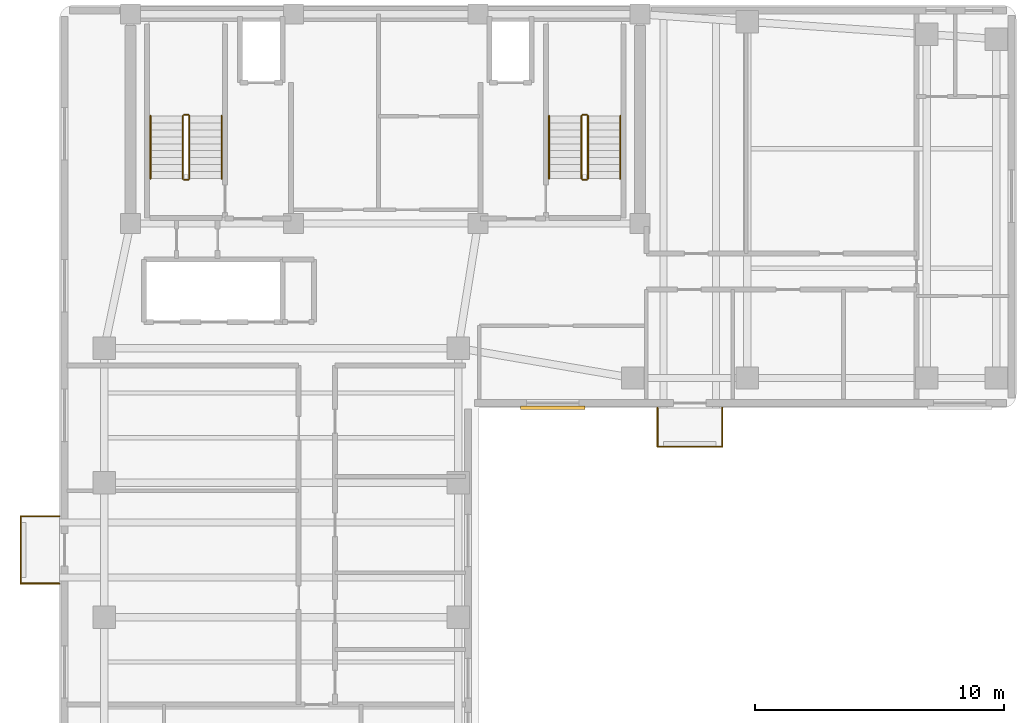
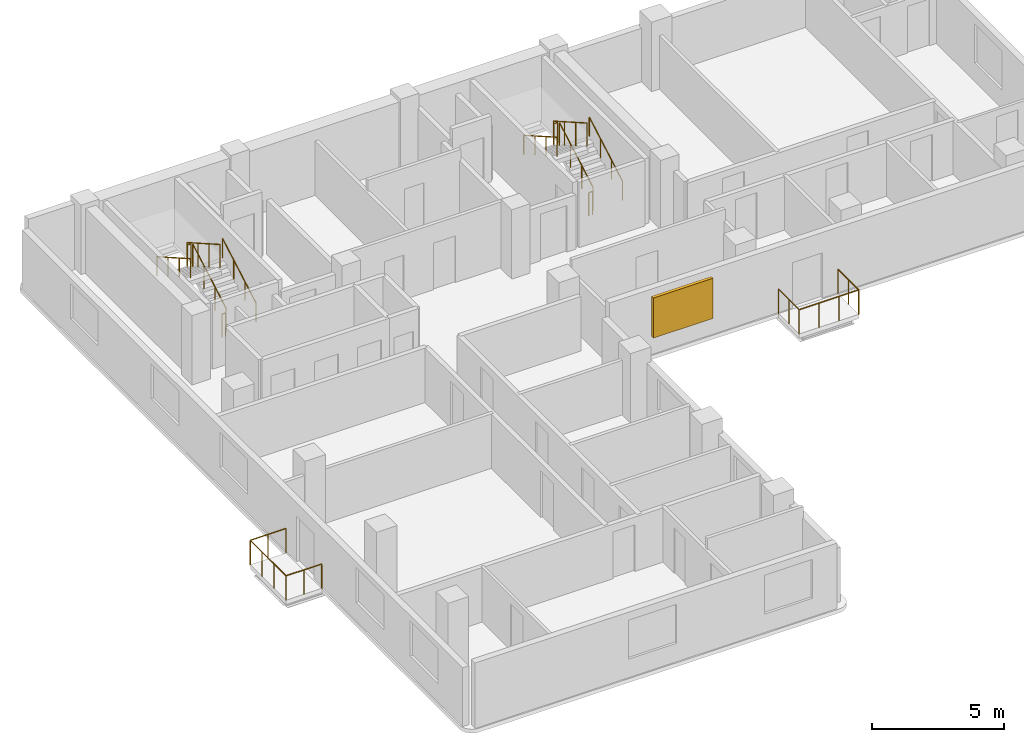
# One storey, part 6 of 7: 18 railings, 1 shading device.
"""IFC4 building model written with IfcOpenShell, lengths in metres."""

from ifc_helpers import new_model, si_unit, direction, frame, origin, origin_2d, place, context, subcontext, project, spatial, rectangle, circle, extrude, material, layer, layer_set, type_object, element, save


model = new_model("IFC4")

# Units and contexts
model_context = context("Model", 3, precision=1e-05, world=origin(), true_north=direction((0.0, 1.0)))
body_context = subcontext(model_context, "Body", "Model", "MODEL_VIEW")
ifc_project = project(units=[si_unit("LENGTHUNIT", "METRE"), si_unit("AREAUNIT", "SQUARE_METRE"), si_unit("VOLUMEUNIT", "CUBIC_METRE"), si_unit("PLANEANGLEUNIT", "RADIAN"), si_unit("MASSUNIT", "GRAM", prefix="KILO")], contexts=[model_context])

# Site, building, storey
site_placement = place(None, origin())
site = spatial("IfcSite", under=ifc_project, at=site_placement, CompositionType="ELEMENT")
building_placement = place(site_placement, origin())
building = spatial("IfcBuilding", under=site, at=building_placement, Name="Kuzgunbayir Cultural Tower", CompositionType="ELEMENT")
storey_placement = place(building_placement, frame((0.0, 0.0, 201.60009765625)))
storey = spatial("IfcBuildingStorey", under=building, at=storey_placement, Name="L59", CompositionType="ELEMENT", Elevation=201.60009765625)

# Railings
ifc_material_1 = material(Name="Laminated Glass and Stainless Steel", Category="steel")
ifc_layer_1 = layer(ifc_material_1, 0.080078125)
ifc_layer_set_1 = layer_set([ifc_layer_1], Name="Laminated Glass and Stainless Steel")
railing_type_1 = type_object("IfcRailingType", Name="RLG-BAL-115", PredefinedType="BALUSTRADE", material=ifc_layer_set_1)
railing_1_placement = place(storey_placement, frame((3.60009765625, 19.35009765625, 0.0)))
element("IfcRailing", 1, at=railing_1_placement, inside=storey, type_object=railing_type_1, Name="L59 Balcony Guard BAL-L59-WA2 Segment 1", PredefinedType="BALUSTRADE", context=body_context, shape_type="SweptSolid", body=[
    extrude(circle(Radius=0.02392578125, at=origin_2d()), frame((0.0, 0.0, 1.1259765625), z_axis=(-1.0, 0.0, 0.0), x_axis=(0.0, -1.0, 0.0)), (0.0, 0.0, 1.0), 1.56005859375),
    extrude(circle(Radius=0.02099609375, at=origin_2d()), origin(), (0.0, 0.0, 1.0), 1.101806640625),
    extrude(circle(Radius=0.02099609375, at=origin_2d()), frame((-0.780029296875, 0.0, 0.0)), (0.0, 0.0, 1.0), 1.101806640625),
    extrude(circle(Radius=0.02099609375, at=origin_2d()), frame((-1.56005859375, 0.0, 0.0)), (0.0, 0.0, 1.0), 1.101806640625),
])
railing_2_placement = place(storey_placement, frame((2.0400390625, 19.35009765625, 0.0)))
element("IfcRailing", 2, at=railing_2_placement, inside=storey, type_object=railing_type_1, Name="L59 Balcony Guard BAL-L59-WA2 Segment 2", PredefinedType="BALUSTRADE", context=body_context, shape_type="SweptSolid", body=[
    extrude(circle(Radius=0.02392578125, at=origin_2d()), frame((0.0, 0.0, 1.1259765625), z_axis=(0.0, 1.0, 0.0), x_axis=(-1.0, 0.0, 0.0)), (0.0, 0.0, 1.0), 2.699951171875),
    extrude(circle(Radius=0.02099609375, at=origin_2d()), origin(), (0.0, 0.0, 1.0), 1.101806640625),
    extrude(circle(Radius=0.02099609375, at=origin_2d()), frame((0.0, 0.89990234375, 0.0)), (0.0, 0.0, 1.0), 1.101806640625),
    extrude(circle(Radius=0.02099609375, at=origin_2d()), frame((0.0, 1.800048828125, 0.0)), (0.0, 0.0, 1.0), 1.101806640625),
    extrude(circle(Radius=0.02099609375, at=origin_2d()), frame((0.0, 2.699951171875, 0.0)), (0.0, 0.0, 1.0), 1.101806640625),
])
railing_3_placement = place(storey_placement, frame((2.0400390625, 22.050048828125, 0.0)))
element("IfcRailing", 3, at=railing_3_placement, inside=storey, type_object=railing_type_1, Name="L59 Balcony Guard BAL-L59-WA2 Segment 3", PredefinedType="BALUSTRADE", context=body_context, shape_type="SweptSolid", body=[
    extrude(circle(Radius=0.02392578125, at=origin_2d()), frame((0.0, 0.0, 1.1259765625), z_axis=(1.0, 0.0, 0.0), x_axis=(0.0, 1.0, 0.0)), (0.0, 0.0, 1.0), 1.56005859375),
    extrude(circle(Radius=0.02099609375, at=origin_2d()), origin(), (0.0, 0.0, 1.0), 1.101806640625),
    extrude(circle(Radius=0.02099609375, at=origin_2d()), frame((0.780029296875, 0.0, 0.0)), (0.0, 0.0, 1.0), 1.101806640625),
    extrude(circle(Radius=0.02099609375, at=origin_2d()), frame((1.56005859375, 0.0, 0.0)), (0.0, 0.0, 1.0), 1.101806640625),
])
railing_4_placement = place(storey_placement, frame((27.60009765625, 26.39990234375, 0.0)))
element("IfcRailing", 4, at=railing_4_placement, inside=storey, type_object=railing_type_1, Name="L59 Balcony Guard BAL-L59-WB1 Segment 1", PredefinedType="BALUSTRADE", context=body_context, shape_type="SweptSolid", body=[
    extrude(circle(Radius=0.02392578125, at=origin_2d()), frame((0.0, 0.0, 1.1259765625), z_axis=(0.0, -1.0, 0.0), x_axis=(1.0, 0.0, 0.0)), (0.0, 0.0, 1.0), 1.559814453125),
    extrude(circle(Radius=0.02099609375, at=origin_2d()), origin(), (0.0, 0.0, 1.0), 1.101806640625),
    extrude(circle(Radius=0.02099609375, at=origin_2d()), frame((0.0, -0.77978515625, 0.0)), (0.0, 0.0, 1.0), 1.101806640625),
    extrude(circle(Radius=0.02099609375, at=origin_2d()), frame((0.0, -1.559814453125, 0.0)), (0.0, 0.0, 1.0), 1.101806640625),
])
railing_5_placement = place(storey_placement, frame((27.60009765625, 24.840087890625, 0.0)))
element("IfcRailing", 5, at=railing_5_placement, inside=storey, type_object=railing_type_1, Name="L59 Balcony Guard BAL-L59-WB1 Segment 2", PredefinedType="BALUSTRADE", context=body_context, shape_type="SweptSolid", body=[
    extrude(circle(Radius=0.02392578125, at=origin_2d()), frame((0.0, 0.0, 1.1259765625), z_axis=(1.0, 0.0, 0.0), x_axis=(0.0, 1.0, 0.0)), (0.0, 0.0, 1.0), 2.599853515625),
    extrude(circle(Radius=0.02099609375, at=origin_2d()), origin(), (0.0, 0.0, 1.0), 1.101806640625),
    extrude(circle(Radius=0.02099609375, at=origin_2d()), frame((0.86669921875, 0.0, 0.0)), (0.0, 0.0, 1.0), 1.101806640625),
    extrude(circle(Radius=0.02099609375, at=origin_2d()), frame((1.733154296875, 0.0, 0.0)), (0.0, 0.0, 1.0), 1.101806640625),
    extrude(circle(Radius=0.02099609375, at=origin_2d()), frame((2.599853515625, 0.0, 0.0)), (0.0, 0.0, 1.0), 1.101806640625),
])
railing_6_placement = place(storey_placement, frame((30.199951171875, 24.840087890625, 0.0)))
element("IfcRailing", 6, at=railing_6_placement, inside=storey, type_object=railing_type_1, Name="L59 Balcony Guard BAL-L59-WB1 Segment 3", PredefinedType="BALUSTRADE", context=body_context, shape_type="SweptSolid", body=[
    extrude(circle(Radius=0.02392578125, at=origin_2d()), frame((0.0, 0.0, 1.1259765625), z_axis=(0.0, 1.0, 0.0), x_axis=(-1.0, 0.0, 0.0)), (0.0, 0.0, 1.0), 1.559814453125),
    extrude(circle(Radius=0.02099609375, at=origin_2d()), origin(), (0.0, 0.0, 1.0), 1.101806640625),
    extrude(circle(Radius=0.02099609375, at=origin_2d()), frame((0.0, 0.77978515625, 0.0)), (0.0, 0.0, 1.0), 1.101806640625),
    extrude(circle(Radius=0.02099609375, at=origin_2d()), frame((0.0, 1.559814453125, 0.0)), (0.0, 0.0, 1.0), 1.101806640625),
])
ifc_material_2 = material(Name="Brushed Stainless Steel", Category="steel")
ifc_layer_2 = layer(ifc_material_2, 0.050048828125)
ifc_layer_set_2 = layer_set([ifc_layer_2], Name="Brushed Stainless Steel")
railing_type_2 = type_object("IfcRailingType", Name="RLG-STAIR-HANDRAIL", PredefinedType="HANDRAIL", material=ifc_layer_set_2)
railing_7_placement = place(storey_placement, frame((10.110107421875, 35.60009765625, 0.159912109375)))
element("IfcRailing", 7, at=railing_7_placement, inside=storey, type_object=railing_type_2, Name="L59 ST-1 stair handrail 1", PredefinedType="HANDRAIL", context=body_context, shape_type="SweptSolid", body=[
    extrude(circle(Radius=0.02392578125, at=origin_2d()), frame((0.0, 0.0, 0.8759765625), z_axis=(0.0, 0.868253494771, 0.496120820787), x_axis=(-1.0, 0.0, 0.0)), (0.0, 0.0, 1.0), 2.90234375),
    extrude(circle(Radius=0.02099609375, at=origin_2d()), origin(), (0.0, 0.0, 1.0), 0.851806640625),
    extrude(circle(Radius=0.02099609375, at=origin_2d()), frame((0.0, 0.840087890625, 0.47998046875)), (0.0, 0.0, 1.0), 0.851806640625),
    extrude(circle(Radius=0.02099609375, at=origin_2d()), frame((0.0, 1.679931640625, 0.9599609375)), (0.0, 0.0, 1.0), 0.851806640625),
    extrude(circle(Radius=0.02099609375, at=origin_2d()), frame((0.0, 2.52001953125, 1.43994140625)), (0.0, 0.0, 1.0), 0.851806640625),
])
railing_8_placement = place(storey_placement, frame((7.25, 38.1201171875, 1.760009765625)))
element("IfcRailing", 8, at=railing_8_placement, inside=storey, type_object=railing_type_2, Name="L59 ST-1 stair handrail 2", PredefinedType="HANDRAIL", context=body_context, shape_type="SweptSolid", body=[
    extrude(circle(Radius=0.02392578125, at=origin_2d()), frame((0.0, 0.0, 0.8759765625), z_axis=(0.0, -0.868253494771, 0.496120820787), x_axis=(1.0, 0.0, 0.0)), (0.0, 0.0, 1.0), 2.90234375),
    extrude(circle(Radius=0.02099609375, at=origin_2d()), origin(), (0.0, 0.0, 1.0), 0.851806640625),
    extrude(circle(Radius=0.02099609375, at=origin_2d()), frame((0.0, -0.840087890625, 0.47998046875)), (0.0, 0.0, 1.0), 0.851806640625),
    extrude(circle(Radius=0.02099609375, at=origin_2d()), frame((0.0, -1.679931640625, 0.9599609375)), (0.0, 0.0, 1.0), 0.851806640625),
    extrude(circle(Radius=0.02099609375, at=origin_2d()), frame((0.0, -2.52001953125, 1.43994140625)), (0.0, 0.0, 1.0), 0.851806640625),
])
railing_9_placement = place(storey_placement, frame((26.110107421875, 35.60009765625, 0.159912109375)))
element("IfcRailing", 9, at=railing_9_placement, inside=storey, type_object=railing_type_2, Name="L59 ST-2 stair handrail 1", PredefinedType="HANDRAIL", context=body_context, shape_type="SweptSolid", body=[
    extrude(circle(Radius=0.02392578125, at=origin_2d()), frame((0.0, 0.0, 0.8759765625), z_axis=(0.0, 0.868253494771, 0.496120820787), x_axis=(-1.0, 0.0, 0.0)), (0.0, 0.0, 1.0), 2.90234375),
    extrude(circle(Radius=0.02099609375, at=origin_2d()), origin(), (0.0, 0.0, 1.0), 0.851806640625),
    extrude(circle(Radius=0.02099609375, at=origin_2d()), frame((0.0, 0.840087890625, 0.47998046875)), (0.0, 0.0, 1.0), 0.851806640625),
    extrude(circle(Radius=0.02099609375, at=origin_2d()), frame((0.0, 1.679931640625, 0.9599609375)), (0.0, 0.0, 1.0), 0.851806640625),
    extrude(circle(Radius=0.02099609375, at=origin_2d()), frame((0.0, 2.52001953125, 1.43994140625)), (0.0, 0.0, 1.0), 0.851806640625),
])
railing_10_placement = place(storey_placement, frame((23.25, 38.1201171875, 1.760009765625)))
element("IfcRailing", 10, at=railing_10_placement, inside=storey, type_object=railing_type_2, Name="L59 ST-2 stair handrail 2", PredefinedType="HANDRAIL", context=body_context, shape_type="SweptSolid", body=[
    extrude(circle(Radius=0.02392578125, at=origin_2d()), frame((0.0, 0.0, 0.8759765625), z_axis=(0.0, -0.868253494771, 0.496120820787), x_axis=(1.0, 0.0, 0.0)), (0.0, 0.0, 1.0), 2.90234375),
    extrude(circle(Radius=0.02099609375, at=origin_2d()), origin(), (0.0, 0.0, 1.0), 0.851806640625),
    extrude(circle(Radius=0.02099609375, at=origin_2d()), frame((0.0, -0.840087890625, 0.47998046875)), (0.0, 0.0, 1.0), 0.851806640625),
    extrude(circle(Radius=0.02099609375, at=origin_2d()), frame((0.0, -1.679931640625, 0.9599609375)), (0.0, 0.0, 1.0), 0.851806640625),
    extrude(circle(Radius=0.02099609375, at=origin_2d()), frame((0.0, -2.52001953125, 1.43994140625)), (0.0, 0.0, 1.0), 0.851806640625),
])
ifc_material_3 = material(Name="Painted Steel Balustrade", Category="steel")
ifc_layer_3 = layer(ifc_material_3, 0.06005859375)
ifc_layer_set_3 = layer_set([ifc_layer_3], Name="Painted Steel Balustrade")
railing_type_3 = type_object("IfcRailingType", Name="RLG-WELL-GUARD", PredefinedType="GUARDRAIL", material=ifc_layer_set_3)
railing_11_placement = place(storey_placement, frame((8.81005859375, 35.60009765625, 0.159912109375)))
element("IfcRailing", 11, at=railing_11_placement, inside=storey, type_object=railing_type_3, Name="L59 ST-1 stair guard 1", PredefinedType="GUARDRAIL", context=body_context, shape_type="SweptSolid", body=[
    extrude(circle(Radius=0.02392578125, at=origin_2d()), frame((0.0, 0.0, 1.076171875), z_axis=(0.0, 0.868253494771, 0.496120820787), x_axis=(-1.0, 0.0, 0.0)), (0.0, 0.0, 1.0), 2.90234375),
    extrude(circle(Radius=0.02099609375, at=origin_2d()), origin(), (0.0, 0.0, 1.0), 1.052001953125),
    extrude(circle(Radius=0.02099609375, at=origin_2d()), frame((0.0, 0.840087890625, 0.47998046875)), (0.0, 0.0, 1.0), 1.052001953125),
    extrude(circle(Radius=0.02099609375, at=origin_2d()), frame((0.0, 1.679931640625, 0.9599609375)), (0.0, 0.0, 1.0), 1.052001953125),
    extrude(circle(Radius=0.02099609375, at=origin_2d()), frame((0.0, 2.52001953125, 1.43994140625)), (0.0, 0.0, 1.0), 1.052001953125),
])
railing_12_placement = place(storey_placement, frame((8.760009765625, 38.169921875, 1.599853515625)))
element("IfcRailing", 12, at=railing_12_placement, inside=storey, type_object=railing_type_3, Name="L59 ST-1 stair guard 2", PredefinedType="GUARDRAIL", context=body_context, shape_type="SweptSolid", body=[
    extrude(circle(Radius=0.02392578125, at=origin_2d()), frame((0.0, 0.0, 1.076171875), z_axis=(-1.0, 0.0, 0.0), x_axis=(0.0, -1.0, 0.0)), (0.0, 0.0, 1.0), 0.159912109375),
    extrude(circle(Radius=0.02099609375, at=origin_2d()), origin(), (0.0, 0.0, 1.0), 1.052001953125),
    extrude(circle(Radius=0.02099609375, at=origin_2d()), frame((-0.159912109375, 0.0, 0.0)), (0.0, 0.0, 1.0), 1.052001953125),
])
railing_13_placement = place(storey_placement, frame((8.550048828125, 38.1201171875, 1.760009765625)))
element("IfcRailing", 13, at=railing_13_placement, inside=storey, type_object=railing_type_3, Name="L59 ST-1 stair guard 3", PredefinedType="GUARDRAIL", context=body_context, shape_type="SweptSolid", body=[
    extrude(circle(Radius=0.02392578125, at=origin_2d()), frame((0.0, 0.0, 1.076171875), z_axis=(0.0, -0.868253494771, 0.496120820787), x_axis=(1.0, 0.0, 0.0)), (0.0, 0.0, 1.0), 2.90234375),
    extrude(circle(Radius=0.02099609375, at=origin_2d()), origin(), (0.0, 0.0, 1.0), 1.052001953125),
    extrude(circle(Radius=0.02099609375, at=origin_2d()), frame((0.0, -0.840087890625, 0.47998046875)), (0.0, 0.0, 1.0), 1.052001953125),
    extrude(circle(Radius=0.02099609375, at=origin_2d()), frame((0.0, -1.679931640625, 0.9599609375)), (0.0, 0.0, 1.0), 1.052001953125),
    extrude(circle(Radius=0.02099609375, at=origin_2d()), frame((0.0, -2.52001953125, 1.43994140625)), (0.0, 0.0, 1.0), 1.052001953125),
])
railing_14_placement = place(storey_placement, frame((8.760009765625, 35.550048828125, 0.0)))
element("IfcRailing", 14, at=railing_14_placement, inside=storey, type_object=railing_type_3, Name="L59 ST-1 stair guard 4", PredefinedType="GUARDRAIL", context=body_context, shape_type="SweptSolid", body=[
    extrude(circle(Radius=0.02392578125, at=origin_2d()), frame((0.0, 0.0, 1.076171875), z_axis=(-1.0, 0.0, 0.0), x_axis=(0.0, -1.0, 0.0)), (0.0, 0.0, 1.0), 0.159912109375),
    extrude(circle(Radius=0.02099609375, at=origin_2d()), origin(), (0.0, 0.0, 1.0), 1.052001953125),
    extrude(circle(Radius=0.02099609375, at=origin_2d()), frame((-0.159912109375, 0.0, 0.0)), (0.0, 0.0, 1.0), 1.052001953125),
])
railing_15_placement = place(storey_placement, frame((24.81005859375, 35.60009765625, 0.159912109375)))
element("IfcRailing", 15, at=railing_15_placement, inside=storey, type_object=railing_type_3, Name="L59 ST-2 stair guard 1", PredefinedType="GUARDRAIL", context=body_context, shape_type="SweptSolid", body=[
    extrude(circle(Radius=0.02392578125, at=origin_2d()), frame((0.0, 0.0, 1.076171875), z_axis=(0.0, 0.868253494771, 0.496120820787), x_axis=(-1.0, 0.0, 0.0)), (0.0, 0.0, 1.0), 2.90234375),
    extrude(circle(Radius=0.02099609375, at=origin_2d()), origin(), (0.0, 0.0, 1.0), 1.052001953125),
    extrude(circle(Radius=0.02099609375, at=origin_2d()), frame((0.0, 0.840087890625, 0.47998046875)), (0.0, 0.0, 1.0), 1.052001953125),
    extrude(circle(Radius=0.02099609375, at=origin_2d()), frame((0.0, 1.679931640625, 0.9599609375)), (0.0, 0.0, 1.0), 1.052001953125),
    extrude(circle(Radius=0.02099609375, at=origin_2d()), frame((0.0, 2.52001953125, 1.43994140625)), (0.0, 0.0, 1.0), 1.052001953125),
])
railing_16_placement = place(storey_placement, frame((24.760009765625, 38.169921875, 1.599853515625)))
element("IfcRailing", 16, at=railing_16_placement, inside=storey, type_object=railing_type_3, Name="L59 ST-2 stair guard 2", PredefinedType="GUARDRAIL", context=body_context, shape_type="SweptSolid", body=[
    extrude(circle(Radius=0.02392578125, at=origin_2d()), frame((0.0, 0.0, 1.076171875), z_axis=(-1.0, 0.0, 0.0), x_axis=(0.0, -1.0, 0.0)), (0.0, 0.0, 1.0), 0.159912109375),
    extrude(circle(Radius=0.02099609375, at=origin_2d()), origin(), (0.0, 0.0, 1.0), 1.052001953125),
    extrude(circle(Radius=0.02099609375, at=origin_2d()), frame((-0.159912109375, 0.0, 0.0)), (0.0, 0.0, 1.0), 1.052001953125),
])
railing_17_placement = place(storey_placement, frame((24.550048828125, 38.1201171875, 1.760009765625)))
element("IfcRailing", 17, at=railing_17_placement, inside=storey, type_object=railing_type_3, Name="L59 ST-2 stair guard 3", PredefinedType="GUARDRAIL", context=body_context, shape_type="SweptSolid", body=[
    extrude(circle(Radius=0.02392578125, at=origin_2d()), frame((0.0, 0.0, 1.076171875), z_axis=(0.0, -0.868253494771, 0.496120820787), x_axis=(1.0, 0.0, 0.0)), (0.0, 0.0, 1.0), 2.90234375),
    extrude(circle(Radius=0.02099609375, at=origin_2d()), origin(), (0.0, 0.0, 1.0), 1.052001953125),
    extrude(circle(Radius=0.02099609375, at=origin_2d()), frame((0.0, -0.840087890625, 0.47998046875)), (0.0, 0.0, 1.0), 1.052001953125),
    extrude(circle(Radius=0.02099609375, at=origin_2d()), frame((0.0, -1.679931640625, 0.9599609375)), (0.0, 0.0, 1.0), 1.052001953125),
    extrude(circle(Radius=0.02099609375, at=origin_2d()), frame((0.0, -2.52001953125, 1.43994140625)), (0.0, 0.0, 1.0), 1.052001953125),
])
railing_18_placement = place(storey_placement, frame((24.760009765625, 35.550048828125, 0.0)))
element("IfcRailing", 18, at=railing_18_placement, inside=storey, type_object=railing_type_3, Name="L59 ST-2 stair guard 4", PredefinedType="GUARDRAIL", context=body_context, shape_type="SweptSolid", body=[
    extrude(circle(Radius=0.02392578125, at=origin_2d()), frame((0.0, 0.0, 1.076171875), z_axis=(-1.0, 0.0, 0.0), x_axis=(0.0, -1.0, 0.0)), (0.0, 0.0, 1.0), 0.159912109375),
    extrude(circle(Radius=0.02099609375, at=origin_2d()), origin(), (0.0, 0.0, 1.0), 1.052001953125),
    extrude(circle(Radius=0.02099609375, at=origin_2d()), frame((-0.159912109375, 0.0, 0.0)), (0.0, 0.0, 1.0), 1.052001953125),
])

# Shading device
ifc_material_4 = material(Name="Perforated Bronze-Anodised Aluminium", Category="aluminium")
shading_device_type = type_object("IfcShadingDeviceType", Name="SHD-SOLAR-BRONZE", PredefinedType="JALOUSIE", material=ifc_material_4)
shading_device_placement = place(storey_placement, frame((23.39990234375, 26.409912109375, 0.824951171875), z_axis=(0.0, 0.0, 1.0), x_axis=(1.0, 0.0, 0.0)))
element("IfcShadingDevice", 19, at=shading_device_placement, inside=storey, type_object=shading_device_type, Name="L59 Solar Screen WBS15", PredefinedType="JALOUSIE", context=body_context, shape_type="SweptSolid", body=[
    extrude(rectangle(XDim=2.60009765625, YDim=0.139892578125, at=origin_2d()), origin(), (0.0, 0.0, 1.0), 1.85009765625),
])

save(model, "model.ifc")
